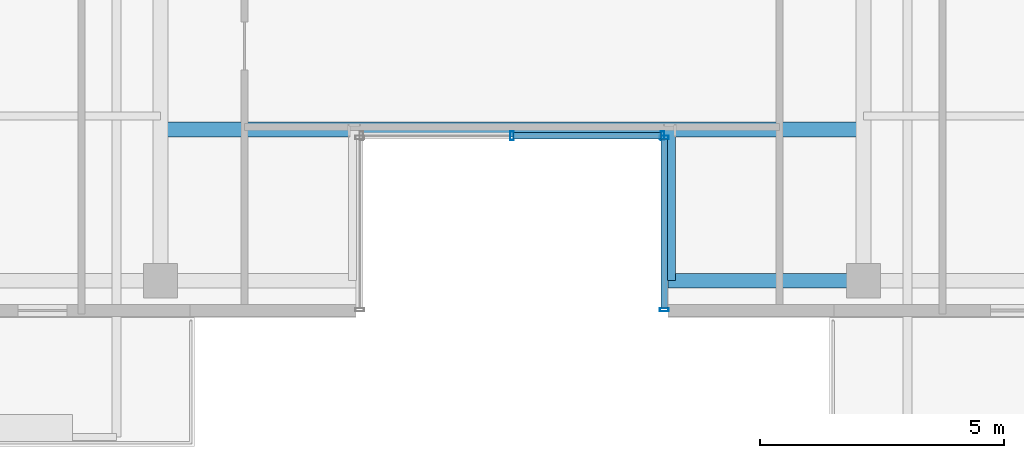
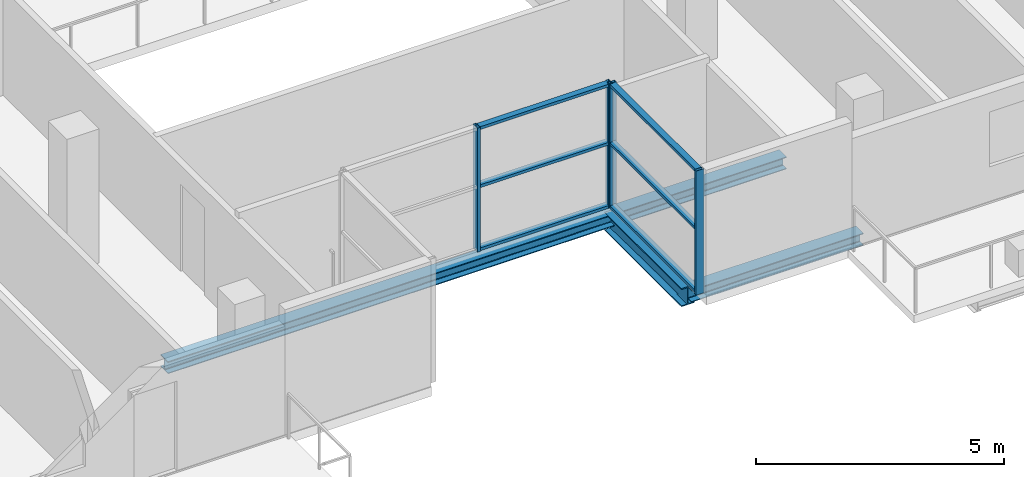
# One storey, part 7 of 22: 10 members, 3 beams, 2 elements without a shape of their own.
"""IFC4 building model written with IfcOpenShell, lengths in metres."""

from ifc_helpers import new_model, si_unit, direction, frame, origin, origin_2d, place, context, subcontext, project, spatial, hollow_rectangle, i_section, extrude, source, transform, mapped, material, layer, layer_set, material_profile, profile_set, type_object, element, aggregate, save


model = new_model("IFC4")

# Units and contexts
model_context = context("Model", 3, precision=1e-05, world=origin(), true_north=direction((0.0, 1.0)))
body_context = subcontext(model_context, "Body", "Model", "MODEL_VIEW")
ifc_project = project(units=[si_unit("LENGTHUNIT", "METRE"), si_unit("AREAUNIT", "SQUARE_METRE"), si_unit("VOLUMEUNIT", "CUBIC_METRE"), si_unit("PLANEANGLEUNIT", "RADIAN"), si_unit("MASSUNIT", "GRAM", prefix="KILO")], contexts=[model_context])

# Site, building, storey
site_placement = place(None, origin())
site = spatial("IfcSite", under=ifc_project, at=site_placement, CompositionType="ELEMENT")
building_placement = place(site_placement, origin())
building = spatial("IfcBuilding", under=site, at=building_placement, Name="Zarnakvel Exchange Tower", CompositionType="ELEMENT")
storey_placement = place(building_placement, frame((0.0, 0.0, 225.39990234375)))
storey = spatial("IfcBuildingStorey", under=building, at=storey_placement, Name="L63", CompositionType="ELEMENT", Elevation=225.39990234375)

# Beams
ifc_material_1 = material(Name="Steel S355", Category="steel")
ifc_material_profile_1 = material_profile(ifc_material_1, i_section(OverallWidth=0.300048828125, OverallDepth=0.449951171875, WebThickness=0.013916015625, FlangeThickness=0.02587890625, FilletRadius=0.027099609375, at=origin_2d()))
ifc_profile_set_1 = profile_set([ifc_material_profile_1], Name="Steel S355")
beam_type_1 = type_object("IfcBeamType", Name="G-07", PredefinedType="BEAM", material=ifc_profile_set_1)
beam_1_placement = place(storey_placement, frame((3.199951171875, -16.35009765625, -0.449951171875), z_axis=(0.0, 1.0, 0.0), x_axis=(-1.0, 0.0, 0.0)))
element("IfcBeam", 1, at=beam_1_placement, inside=storey, type_object=beam_type_1, Name="L63 South Slot East Cheek Beam", PredefinedType="BEAM", context=body_context, shape_type="SweptSolid", body=[
    extrude(i_section(OverallWidth=0.300048828125, OverallDepth=0.449951171875, WebThickness=0.013916015625, FlangeThickness=0.02587890625, FilletRadius=0.027099609375, at=origin_2d()), origin(), (0.0, 0.0, 1.0), 3.10009765625),
])
ifc_material_profile_2 = material_profile(ifc_material_1, i_section(OverallWidth=0.300048828125, OverallDepth=0.300048828125, WebThickness=0.010986328125, FlangeThickness=0.01904296875, FilletRadius=0.027099609375, at=origin_2d()))
ifc_profile_set_2 = profile_set([ifc_material_profile_2], Name="Steel S355")
beam_type_2 = type_object("IfcBeamType", Name="SP-03", PredefinedType="SPANDREL", material=ifc_profile_set_2)
beam_2_placement = place(storey_placement, frame((3.199951171875, -16.35009765625, -0.375), z_axis=(1.0, 0.0, 0.0), x_axis=(0.0, 1.0, 0.0)))
element("IfcBeam", 2, at=beam_2_placement, inside=storey, type_object=beam_type_2, Name="L63 South Slot East Jamb Spandrel", PredefinedType="SPANDREL", context=body_context, shape_type="SweptSolid", body=[
    extrude(i_section(OverallWidth=0.300048828125, OverallDepth=0.300048828125, WebThickness=0.010986328125, FlangeThickness=0.01904296875, FilletRadius=0.027099609375, at=origin_2d()), origin(), (0.0, 0.0, 1.0), 4.0),
])
beam_3_placement = place(storey_placement, frame((-7.199951171875, -13.25, -0.375), z_axis=(1.0, 0.0, 0.0), x_axis=(0.0, 1.0, 0.0)))
element("IfcBeam", 3, at=beam_3_placement, inside=storey, type_object=beam_type_2, Name="L63 South Slot Head Trimmer Girder", PredefinedType="SPANDREL", context=body_context, shape_type="SweptSolid", body=[
    extrude(i_section(OverallWidth=0.300048828125, OverallDepth=0.300048828125, WebThickness=0.010986328125, FlangeThickness=0.01904296875, FilletRadius=0.027099609375, at=origin_2d()), origin(), (0.0, 0.0, 1.0), 14.39990234375),
])

# Curtain wall, members
ifc_material_2 = material(Name="Architectural Bronze Anodised Aluminium", Category="aluminium")
ifc_layer = layer(ifc_material_2, 0.179931640625)
ifc_layer_set = layer_set([ifc_layer], Name="Architectural Bronze Anodised Aluminium")
curtain_wall_type = type_object("IfcCurtainWallType", Name="CW-05", PredefinedType="NOTDEFINED", material=ifc_layer_set)
curtain_wall_1_placement = place(storey_placement, origin())
curtain_wall_1 = element("IfcCurtainWall", 4, at=curtain_wall_1_placement, inside=storey, type_object=curtain_wall_type, Name="L63 Curtain Wall CW-L63-SLB (CW-05)", PredefinedType="NOTDEFINED")
ifc_material_profile_3 = material_profile(ifc_material_2, hollow_rectangle(XDim=0.179931640625, YDim=0.070068359375, WallThickness=0.00390625, at=origin_2d()))
ifc_profile_set_3 = profile_set([ifc_material_profile_3], Name="Architectural Bronze Anodised Aluminium")
member_type_1 = type_object("IfcMemberType", Name="CWM-05", PredefinedType="MULLION", material=ifc_profile_set_3)
shared_shape_1 = source(origin(), body_context, "Body", "SweptSolid", [
    extrude(hollow_rectangle(XDim=0.179931640625, YDim=0.070068359375, WallThickness=0.00390625, at=origin_2d()), origin(), (0.0, 0.0, 1.0), 3.05517578125),
])
member_1_placement = place(storey_placement, frame((0.0, -13.3798828125, 0.0), z_axis=(0.0, 0.0, 1.0), x_axis=(0.0, 1.0, 0.0)))
member_1 = element("IfcMember", 5, at=member_1_placement, type_object=member_type_1, Name="CW-05 mullion 2", PredefinedType="MULLION", context=body_context, shape_type="MappedRepresentation", body=[
    mapped(shared_shape_1, transform((0.0, 0.0, 0.0), x_axis=(1.0, 0.0, 0.0), y_axis=(0.0, 1.0, 0.0), z_axis=(0.0, 0.0, 1.0), scale=1.0)),
])
member_2_placement = place(storey_placement, frame((3.0849609375, -13.3798828125, 0.0), z_axis=(0.0, 0.0, 1.0), x_axis=(0.0, 1.0, 0.0)))
member_2 = element("IfcMember", 6, at=member_2_placement, type_object=member_type_1, Name="CW-05 mullion 3", PredefinedType="MULLION", context=body_context, shape_type="MappedRepresentation", body=[
    mapped(shared_shape_1, transform((0.0, 0.0, 0.0), x_axis=(1.0, 0.0, 0.0), y_axis=(0.0, 1.0, 0.0), z_axis=(0.0, 0.0, 1.0), scale=1.0)),
])

curtain_wall_2_placement = place(storey_placement, origin())
curtain_wall_2 = element("IfcCurtainWall", 7, at=curtain_wall_2_placement, inside=storey, type_object=curtain_wall_type, Name="L63 Curtain Wall CW-L63-SLE (CW-05)", PredefinedType="NOTDEFINED")
member_3_placement = place(storey_placement, frame((3.1201171875, -13.4150390625, 0.0), z_axis=(0.0, 0.0, 1.0), x_axis=(1.0, 0.0, 0.0)))
member_3 = element("IfcMember", 8, at=member_3_placement, type_object=member_type_1, Name="CW-05 mullion 1", PredefinedType="MULLION", context=body_context, shape_type="MappedRepresentation", body=[
    mapped(shared_shape_1, transform((0.0, 0.0, 0.0), x_axis=(1.0, 0.0, 0.0), y_axis=(0.0, 1.0, 0.0), z_axis=(0.0, 0.0, 1.0), scale=1.0)),
])
member_4_placement = place(storey_placement, frame((3.1201171875, -16.945068359375, 0.0), z_axis=(0.0, 0.0, 1.0), x_axis=(1.0, 0.0, 0.0)))
member_4 = element("IfcMember", 9, at=member_4_placement, type_object=member_type_1, Name="CW-05 mullion 2", PredefinedType="MULLION", context=body_context, shape_type="MappedRepresentation", body=[
    mapped(shared_shape_1, transform((0.0, 0.0, 0.0), x_axis=(1.0, 0.0, 0.0), y_axis=(0.0, 1.0, 0.0), z_axis=(0.0, 0.0, 1.0), scale=1.0)),
])
ifc_material_profile_4 = material_profile(ifc_material_2, hollow_rectangle(XDim=0.139892578125, YDim=0.070068359375, WallThickness=0.00390625, at=origin_2d()))
ifc_profile_set_4 = profile_set([ifc_material_profile_4], Name="Architectural Bronze Anodised Aluminium")
member_type_2 = type_object("IfcMemberType", Name="CWT-05", PredefinedType="USERDEFINED", material=ifc_profile_set_4)
shared_shape_2 = source(origin(), body_context, "Body", "SweptSolid", [
    extrude(hollow_rectangle(XDim=0.139892578125, YDim=0.070068359375, WallThickness=0.00390625, at=origin_2d()), origin(), (0.0, 0.0, 1.0), 3.4599609375),
])
member_5_placement = place(storey_placement, frame((3.1201171875, -13.449951171875, 0.03515625), z_axis=(0.0, -1.0, 0.0), x_axis=(1.0, 0.0, 0.0)))
member_5 = element("IfcMember", 10, at=member_5_placement, type_object=member_type_2, Name="CW-05 transom 1.1", ObjectType="TRANSOM", PredefinedType="USERDEFINED", context=body_context, shape_type="MappedRepresentation", body=[
    mapped(shared_shape_2, transform((0.0, 0.0, 0.0), x_axis=(1.0, 0.0, 0.0), y_axis=(0.0, 1.0, 0.0), z_axis=(0.0, 0.0, 1.0), scale=1.0)),
])
member_6_placement = place(storey_placement, frame((3.1201171875, -13.449951171875, 1.588623046875), z_axis=(0.0, -1.0, 0.0), x_axis=(1.0, 0.0, 0.0)))
member_6 = element("IfcMember", 11, at=member_6_placement, type_object=member_type_2, Name="CW-05 transom 1.2", ObjectType="TRANSOM", PredefinedType="USERDEFINED", context=body_context, shape_type="MappedRepresentation", body=[
    mapped(shared_shape_2, transform((0.0, 0.0, 0.0), x_axis=(1.0, 0.0, 0.0), y_axis=(0.0, 1.0, 0.0), z_axis=(0.0, 0.0, 1.0), scale=1.0)),
])
member_7_placement = place(storey_placement, frame((3.1201171875, -13.449951171875, 3.02001953125), z_axis=(0.0, -1.0, 0.0), x_axis=(1.0, 0.0, 0.0)))
member_7 = element("IfcMember", 12, at=member_7_placement, type_object=member_type_2, Name="CW-05 transom 1.3", ObjectType="TRANSOM", PredefinedType="USERDEFINED", context=body_context, shape_type="MappedRepresentation", body=[
    mapped(shared_shape_2, transform((0.0, 0.0, 0.0), x_axis=(1.0, 0.0, 0.0), y_axis=(0.0, 1.0, 0.0), z_axis=(0.0, 0.0, 1.0), scale=1.0)),
])
aggregate(curtain_wall_2, [member_3, member_4, member_5, member_6, member_7])

# Member
shared_shape_3 = source(origin(), body_context, "Body", "SweptSolid", [
    extrude(hollow_rectangle(XDim=0.139892578125, YDim=0.070068359375, WallThickness=0.00390625, at=origin_2d()), origin(), (0.0, 0.0, 1.0), 3.01513671875),
])
member_8_placement = place(storey_placement, frame((0.034912109375, -13.3798828125, 0.03515625), z_axis=(1.0, 0.0, 0.0), x_axis=(0.0, 1.0, 0.0)))
member_8 = element("IfcMember", 13, at=member_8_placement, type_object=member_type_2, Name="CW-05 transom 2.1", ObjectType="TRANSOM", PredefinedType="USERDEFINED", context=body_context, shape_type="MappedRepresentation", body=[
    mapped(shared_shape_3, transform((0.0, 0.0, 0.0), x_axis=(1.0, 0.0, 0.0), y_axis=(0.0, 1.0, 0.0), z_axis=(0.0, 0.0, 1.0), scale=1.0)),
])

member_9_placement = place(storey_placement, frame((0.034912109375, -13.3798828125, 1.588623046875), z_axis=(1.0, 0.0, 0.0), x_axis=(0.0, 1.0, 0.0)))
member_9 = element("IfcMember", 14, at=member_9_placement, type_object=member_type_2, Name="CW-05 transom 2.2", ObjectType="TRANSOM", PredefinedType="USERDEFINED", context=body_context, shape_type="MappedRepresentation", body=[
    mapped(shared_shape_3, transform((0.0, 0.0, 0.0), x_axis=(1.0, 0.0, 0.0), y_axis=(0.0, 1.0, 0.0), z_axis=(0.0, 0.0, 1.0), scale=1.0)),
])

member_10_placement = place(storey_placement, frame((0.034912109375, -13.3798828125, 3.02001953125), z_axis=(1.0, 0.0, 0.0), x_axis=(0.0, 1.0, 0.0)))
member_10 = element("IfcMember", 15, at=member_10_placement, type_object=member_type_2, Name="CW-05 transom 2.3", ObjectType="TRANSOM", PredefinedType="USERDEFINED", context=body_context, shape_type="MappedRepresentation", body=[
    mapped(shared_shape_3, transform((0.0, 0.0, 0.0), x_axis=(1.0, 0.0, 0.0), y_axis=(0.0, 1.0, 0.0), z_axis=(0.0, 0.0, 1.0), scale=1.0)),
])

aggregate(curtain_wall_1, [member_1, member_2, member_8, member_9, member_10])

save(model, "model.ifc")
